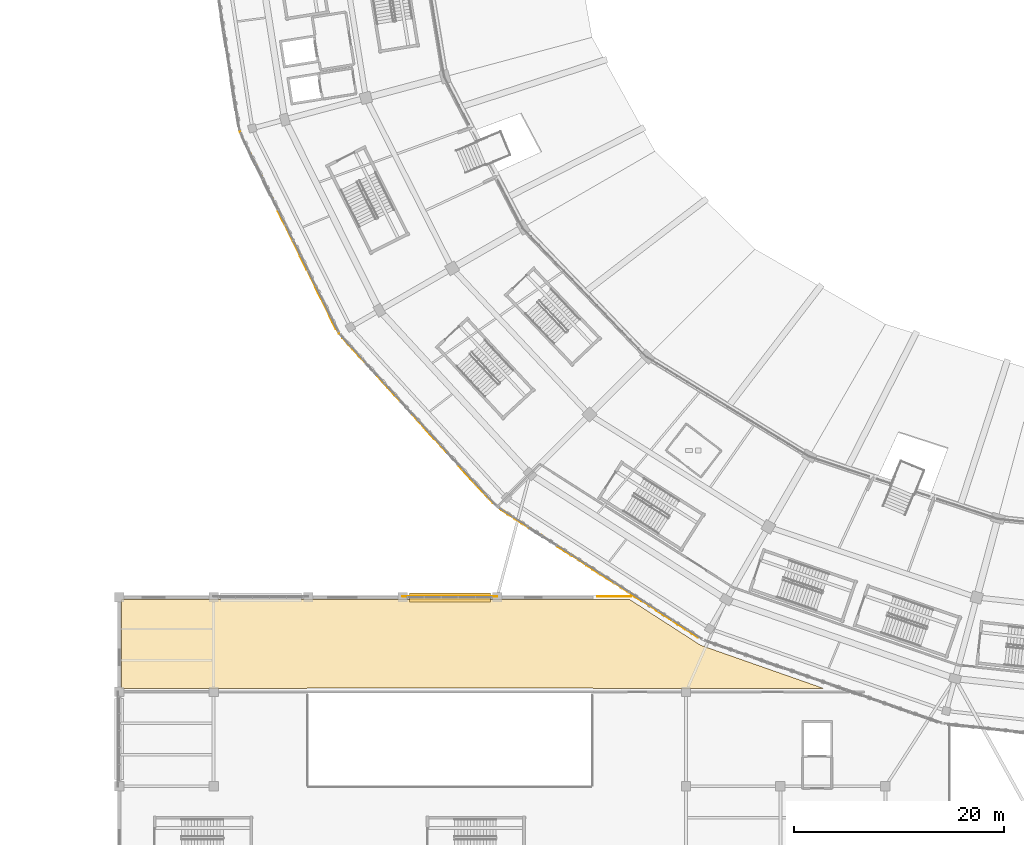
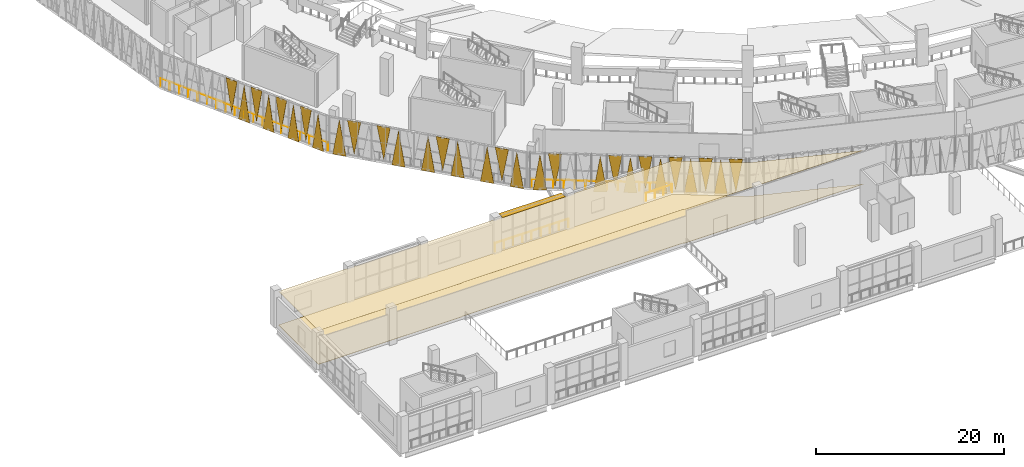
# One storey, part 128 of 183: 32 coverings, 4 railings, 1 shading device.
"""IFC4 building model written with IfcOpenShell, lengths in metres."""

from ifc_helpers import new_model, si_unit, direction, frame, origin, origin_2d, place, context, subcontext, project, spatial, polyline, rectangle, circle, outline, extrude, material, layer, layer_set, type_object, element, save


model = new_model("IFC4")

# Units and contexts
model_context = context("Model", 3, precision=1e-05, world=origin(), true_north=direction((0.0, 1.0)))
body_context = subcontext(model_context, "Body", "Model", "MODEL_VIEW")
ifc_project = project(units=[si_unit("LENGTHUNIT", "METRE"), si_unit("AREAUNIT", "SQUARE_METRE"), si_unit("VOLUMEUNIT", "CUBIC_METRE"), si_unit("PLANEANGLEUNIT", "RADIAN"), si_unit("MASSUNIT", "GRAM", prefix="KILO")], contexts=[model_context])

# Site, building, storey
site_placement = place(None, origin())
site = spatial("IfcSite", under=ifc_project, at=site_placement, CompositionType="ELEMENT")
building_placement = place(site_placement, origin())
building = spatial("IfcBuilding", under=site, at=building_placement, Name="Zevraka Park Crest Stadium", CompositionType="ELEMENT")
storey_placement = place(building_placement, frame((0.0, 0.0, 5.39990234375)))
storey = spatial("IfcBuildingStorey", under=building, at=storey_placement, Name="L01", CompositionType="ELEMENT", Elevation=5.39990234375)

# Coverings
ifc_material_1 = material(Name="Architectural golden-bronze perforated aluminium", Category="aluminium")
ifc_layer_1 = layer(ifc_material_1, 0.034912109375)
ifc_layer_set_1 = layer_set([ifc_layer_1], Name="Architectural golden-bronze perforated aluminium")
covering_type_1 = type_object("IfcCoveringType", Name="CLD01", PredefinedType="CLADDING", material=ifc_layer_set_1)
covering_1_placement = place(storey_placement, frame((24.781005859375, 62.50390625, 4.5), z_axis=(0.897396808055, 0.441224392703, 6.4629608e-05), x_axis=(-0.441224393624, 0.897396809929, 0.0)))
element("IfcCovering", 1, at=covering_1_placement, inside=storey, type_object=covering_type_1, Name="Triangular Golden-Bronze Perforated Cladding L01-13-6", PredefinedType="CLADDING", context=body_context, shape_type="SweptSolid", body=[
    extrude(outline(polyline([(0.0, 0.0), (1.4209393996793769, 0.0), (0.7099256217141656, -4.279785165188302), (0.0, 0.0)])), origin(), (0.0, 0.0, -1.0), 0.034912109375),
])
covering_2_placement = place(storey_placement, frame((24.85205078125, 62.360107421875, -0.260009765625), z_axis=(-0.897262886806, -0.441496664748, 8.3524968e-05), x_axis=(0.441496666288, -0.897262889936, 0.0)))
element("IfcCovering", 2, at=covering_2_placement, inside=storey, type_object=covering_type_1, Name="Triangular Golden-Bronze Perforated Cladding L01-13-7", PredefinedType="CLADDING", context=body_context, shape_type="SweptSolid", body=[
    extrude(outline(polyline([(0.0, 0.0), (1.4200631009776323, 0.0), (0.7103566541942712, 4.600097672296107), (0.0, 0.0)])), origin(), (0.0, 0.0, -1.0), 0.034912109375),
])
covering_3_placement = place(storey_placement, frame((26.177001953125, 59.6669921875, 4.5), z_axis=(-0.897363351947, -0.441292433512, 5.2033191e-05), x_axis=(-0.441292434109, 0.897363353162, 0.0)))
element("IfcCovering", 3, at=covering_3_placement, inside=storey, type_object=covering_type_1, Name="Triangular Golden-Bronze Perforated Cladding L01-13-8", PredefinedType="CLADDING", context=body_context, shape_type="SweptSolid", body=[
    extrude(outline(polyline([(0.0, 0.0), (1.420720312745091, -3.3881317890172014e-21), (0.7110137968936739, 4.279785162043659), (0.0, 0.0)])), origin(), (0.0, 0.0, -1.0), 0.034912109375),
])
covering_4_placement = place(storey_placement, frame((26.248046875, 59.52392578125, -0.260009765625), z_axis=(0.897363344103, 0.441292429655, 0.000142092747), x_axis=(0.441292434109, -0.897363353162, 0.0)))
element("IfcCovering", 4, at=covering_4_placement, inside=storey, type_object=covering_type_1, Name="Triangular Golden-Bronze Perforated Cladding L01-13-9", PredefinedType="CLADDING", context=body_context, shape_type="SweptSolid", body=[
    extrude(outline(polyline([(0.0, 0.0), (1.420720312745091, 1.3552527156068805e-20), (0.710582847250989, -4.600097702688788), (0.0, 0.0)])), origin(), (0.0, 0.0, -1.0), 0.034912109375),
])
covering_5_placement = place(storey_placement, frame((27.572998046875, 56.8310546875, 4.5), z_axis=(-0.897229366489, -0.441564778295, 0.000102365016), x_axis=(-0.441564780609, 0.89722937119, 0.0)))
element("IfcCovering", 5, at=covering_5_placement, inside=storey, type_object=covering_type_1, Name="Triangular Golden-Bronze Perforated Cladding L01-13-10", PredefinedType="CLADDING", context=body_context, shape_type="SweptSolid", body=[
    extrude(outline(polyline([(0.0, 0.0), (1.4198440467462223, -6.776263578034403e-21), (0.7101376311761427, 4.2797851786730705), (0.0, 0.0)])), origin(), (0.0, 0.0, -1.0), 0.034912109375),
])
covering_6_placement = place(storey_placement, frame((27.64404296875, 56.68701171875, -0.260009765625), z_axis=(0.89736335211, 0.441292433592, 4.8410033e-05), x_axis=(0.441292434109, -0.897363353162, 0.0)))
element("IfcCovering", 6, at=covering_6_placement, inside=storey, type_object=covering_type_1, Name="Triangular Golden-Bronze Perforated Cladding L01-13-11", PredefinedType="CLADDING", context=body_context, shape_type="SweptSolid", body=[
    extrude(outline(polyline([(0.0, 0.0), (1.420720312745091, 0.0), (0.709706515851417, -4.600097661640237), (0.0, 0.0)])), origin(), (0.0, 0.0, -1.0), 0.034912109375),
])
covering_7_placement = place(storey_placement, frame((28.968994140625, 53.993896484375, 4.5), z_axis=(-0.897396801117, -0.441224389291, 0.00014013863), x_axis=(-0.441224393624, 0.897396809929, 0.0)))
element("IfcCovering", 7, at=covering_7_placement, inside=storey, type_object=covering_type_1, Name="Triangular Golden-Bronze Perforated Cladding L01-13-12", PredefinedType="CLADDING", context=body_context, shape_type="SweptSolid", body=[
    extrude(outline(polyline([(0.0, 0.0), (1.4209393996793769, 1.3552527156068805e-20), (0.710356504911064, 4.2797851982749995), (0.0, 0.0)])), origin(), (0.0, 0.0, -1.0), 0.034912109375),
])
covering_8_placement = place(storey_placement, frame((29.0400390625, 53.85009765625, -0.260009765625), z_axis=(0.897262884804, 0.441496663763, 0.000106956486), x_axis=(0.441496666288, -0.897262889936, 0.0)))
element("IfcCovering", 8, at=covering_8_placement, inside=storey, type_object=covering_type_1, Name="Triangular Golden-Bronze Perforated Cladding L01-13-13", PredefinedType="CLADDING", context=body_context, shape_type="SweptSolid", body=[
    extrude(outline(polyline([(0.0, 0.0), (1.4200631009776323, 6.776263578034403e-21), (0.7099255051060995, -4.600097682561845), (0.0, 0.0)])), origin(), (0.0, 0.0, -1.0), 0.034912109375),
])
covering_9_placement = place(storey_placement, frame((30.258056640625, 51.7080078125, -0.260009765625), z_axis=(-0.739257935755, -0.673422381884, 0.0), x_axis=(0.673422381884, -0.739257935755, 0.0)))
element("IfcCovering", 9, at=covering_9_placement, inside=storey, type_object=covering_type_1, Name="Triangular Golden-Bronze Perforated Cladding L01-14-1", PredefinedType="CLADDING", context=body_context, shape_type="SweptSolid", body=[
    extrude(outline(polyline([(0.0, 0.0), (1.4907527237079923, 0.0), (0.7453763618539961, 4.60009765625), (0.0, 0.0)])), origin(), (0.0, 0.0, -1.0), 0.034912109375),
])
covering_10_placement = place(storey_placement, frame((32.375, 49.385986328125, 4.5), z_axis=(-0.738931869956, -0.673780145489, 8.4304834e-05), x_axis=(-0.673780147884, 0.738931872582, 0.0)))
element("IfcCovering", 10, at=covering_10_placement, inside=storey, type_object=covering_type_1, Name="Triangular Golden-Bronze Perforated Cladding L01-14-2", PredefinedType="CLADDING", context=body_context, shape_type="SweptSolid", body=[
    extrude(outline(polyline([(0.0, 0.0), (1.4914105374817646, 0.0), (0.7460342629537162, 4.27978517145887), (0.0, 0.0)])), origin(), (0.0, 0.0, -1.0), 0.034912109375),
])
covering_11_placement = place(storey_placement, frame((34.59912109375, 46.946044921875, 4.5), z_axis=(-0.739176409064, -0.67351186763, 2.1083183e-05), x_axis=(-0.67351186778, 0.739176409229, 0.0)))
element("IfcCovering", 11, at=covering_11_placement, inside=storey, type_object=covering_type_1, Name="Triangular Golden-Bronze Perforated Cladding L01-14-4", PredefinedType="CLADDING", context=body_context, shape_type="SweptSolid", body=[
    extrude(outline(polyline([(0.0, 0.0), (1.4909171443933684, 0.0), (0.7455407880008564, 4.279785157201184), (0.0, 0.0)])), origin(), (0.0, 0.0, -1.0), 0.034912109375),
])
covering_12_placement = place(storey_placement, frame((34.70703125, 46.827880859375, -0.260009765625), z_axis=(-0.739183652813, -0.673503917653, 1.7872411e-05), x_axis=(0.673503917761, -0.739183652931, 0.0)))
element("IfcCovering", 12, at=covering_12_placement, inside=storey, type_object=covering_type_1, Name="Triangular Golden-Bronze Perforated Cladding L01-14-5", PredefinedType="CLADDING", context=body_context, shape_type="SweptSolid", body=[
    extrude(outline(polyline([(0.0, 0.0), (1.4905722498806995, 0.0), (0.7451958925608415, 4.600097656984689), (0.0, 0.0)])), origin(), (0.0, 0.0, -1.0), 0.034912109375),
])
covering_13_placement = place(storey_placement, frame((36.930908203125, 44.386962890625, -0.260009765625), z_axis=(-0.738552850624, -0.674195584483, 2.6429835e-05), x_axis=(0.674195584719, -0.738552850882, 0.0)))
element("IfcCovering", 13, at=covering_13_placement, inside=storey, type_object=covering_type_1, Name="Triangular Golden-Bronze Perforated Cladding L01-14-7", PredefinedType="CLADDING", context=body_context, shape_type="SweptSolid", body=[
    extrude(outline(polyline([(0.0, 0.0), (1.490853657169029, -3.3881317890172014e-21), (0.7461989464222979, 4.600097657856668), (0.0, 0.0)])), origin(), (0.0, 0.0, -1.0), 0.034912109375),
])
covering_14_placement = place(storey_placement, frame((39.048095703125, 42.06494140625, 4.5), z_axis=(0.738850373217, 0.673869514075, 6.3221652e-05), x_axis=(-0.673869515422, 0.738850374694, 0.0)))
element("IfcCovering", 14, at=covering_14_placement, inside=storey, type_object=covering_type_1, Name="Triangular Golden-Bronze Perforated Cladding L01-14-8", PredefinedType="CLADDING", context=body_context, shape_type="SweptSolid", body=[
    extrude(outline(polyline([(0.0, 0.0), (1.4915750454979064, 0.0), (0.7455407443619579, -4.279785164803103), (0.0, 0.0)])), origin(), (0.0, 0.0, -1.0), 0.034912109375),
])
covering_15_placement = place(storey_placement, frame((39.156005859375, 41.947021484375, -0.260009765625), z_axis=(-0.739257935755, -0.673422381884, 0.0), x_axis=(0.673422381884, -0.739257935755, 0.0)))
element("IfcCovering", 15, at=covering_15_placement, inside=storey, type_object=covering_type_1, Name="Triangular Golden-Bronze Perforated Cladding L01-14-9", PredefinedType="CLADDING", context=body_context, shape_type="SweptSolid", body=[
    extrude(outline(polyline([(0.0, 0.0), (1.4907527237079923, 0.0), (0.7453763618539961, 4.60009765625), (0.0, 0.0)])), origin(), (0.0, 0.0, -1.0), 0.034912109375),
])
covering_16_placement = place(storey_placement, frame((41.3798828125, 39.507080078125, -0.260009765625), z_axis=(0.738850373416, 0.673869514256, 5.8819423e-05), x_axis=(0.673869515422, -0.738850374694, 0.0)))
element("IfcCovering", 16, at=covering_16_placement, inside=storey, type_object=covering_type_1, Name="Triangular Golden-Bronze Perforated Cladding L01-14-11", PredefinedType="CLADDING", context=body_context, shape_type="SweptSolid", body=[
    extrude(outline(polyline([(0.0, 0.0), (1.4915750454979064, 0.0), (0.7455407443619579, -4.600097664207535), (0.0, 0.0)])), origin(), (0.0, 0.0, -1.0), 0.034912109375),
])
covering_17_placement = place(storey_placement, frame((43.4970703125, 37.18505859375, 4.5), z_axis=(0.738850370592, 0.673869511681, 0.00010536942), x_axis=(-0.673869515422, 0.738850374694, 0.0)))
element("IfcCovering", 17, at=covering_17_placement, inside=storey, type_object=covering_type_1, Name="Triangular Golden-Bronze Perforated Cladding L01-14-12", PredefinedType="CLADDING", context=body_context, shape_type="SweptSolid", body=[
    extrude(outline(polyline([(0.0, 0.0), (1.4915750454979064, -1.3552527156068805e-20), (0.7453762254372943, -4.279785180008618), (0.0, 0.0)])), origin(), (0.0, 0.0, -1.0), 0.034912109375),
])
covering_18_placement = place(storey_placement, frame((43.60498046875, 37.06689453125, -0.260009765625), z_axis=(-0.739183652813, -0.673503917653, 1.7872411e-05), x_axis=(0.673503917761, -0.739183652931, 0.0)))
element("IfcCovering", 18, at=covering_18_placement, inside=storey, type_object=covering_type_1, Name="Triangular Golden-Bronze Perforated Cladding L01-14-13", PredefinedType="CLADDING", context=body_context, shape_type="SweptSolid", body=[
    extrude(outline(polyline([(0.0, 0.0), (1.4905722498806995, 0.0), (0.7451958925608415, 4.600097656984689), (0.0, 0.0)])), origin(), (0.0, 0.0, -1.0), 0.034912109375),
])
covering_19_placement = place(storey_placement, frame((45.410888671875, 35.284912109375, -0.260009765625), z_axis=(-0.542438504887, -0.840095510683, 3.668756e-05), x_axis=(0.840095511248, -0.542438505252, 0.0)))
element("IfcCovering", 19, at=covering_19_placement, inside=storey, type_object=covering_type_1, Name="Triangular Golden-Bronze Perforated Cladding L01-15-1", PredefinedType="CLADDING", context=body_context, shape_type="SweptSolid", body=[
    extrude(outline(polyline([(0.0, 0.0), (1.4452063031746218, 0.0), (0.7226394866710507, 4.6000976593458125), (0.0, 0.0)])), origin(), (0.0, 0.0, -1.0), 0.034912109375),
])
covering_20_placement = place(storey_placement, frame((47.97412109375, 33.6298828125, 4.5), z_axis=(-0.542557713856, -0.84001852771, 1.547512e-05), x_axis=(-0.840018527811, 0.542557713921, 0.0)))
element("IfcCovering", 20, at=covering_20_placement, inside=storey, type_object=covering_type_1, Name="Triangular Golden-Bronze Perforated Cladding L01-15-2", PredefinedType="CLADDING", context=body_context, shape_type="SweptSolid", body=[
    extrude(outline(polyline([(0.0, 0.0), (1.4453387490028242, 0.0), (0.7227719158256077, 4.27978515676246), (0.0, 0.0)])), origin(), (0.0, 0.0, -1.0), 0.034912109375),
])
covering_21_placement = place(storey_placement, frame((50.804931640625, 31.802001953125, -0.260009765625), z_axis=(0.542915140766, 0.839787556775, 9.7017903e-05), x_axis=(0.839787560727, -0.542915143322, 0.0)))
element("IfcCovering", 21, at=covering_21_placement, inside=storey, type_object=covering_type_1, Name="Triangular Golden-Bronze Perforated Cladding L01-15-5", PredefinedType="CLADDING", context=body_context, shape_type="SweptSolid", body=[
    extrude(outline(polyline([(0.0, 0.0), (1.4457362610535034, -1.3552527156068805e-20), (0.7233020127627544, -4.600097677899149), (0.0, 0.0)])), origin(), (0.0, 0.0, -1.0), 0.034912109375),
])
covering_22_placement = place(storey_placement, frame((53.366943359375, 30.14599609375, 4.5), z_axis=(-0.542992143758, -0.839737772554, 7.1854344e-05), x_axis=(-0.839737774722, 0.542992145159, 0.0)))
element("IfcCovering", 22, at=covering_22_placement, inside=storey, type_object=covering_type_1, Name="Triangular Golden-Bronze Perforated Cladding L01-15-6", PredefinedType="CLADDING", context=body_context, shape_type="SweptSolid", body=[
    extrude(outline(polyline([(0.0, 0.0), (1.4455312408705225, -6.776263578034403e-21), (0.7225667707727274, 4.279785167298367), (0.0, 0.0)])), origin(), (0.0, 0.0, -1.0), 0.034912109375),
])
covering_23_placement = place(storey_placement, frame((53.501953125, 30.06005859375, -0.260009765625), z_axis=(0.543034218025, 0.839710561642, 0.000103541993), x_axis=(0.839710566143, -0.543034220936, 0.0)))
element("IfcCovering", 23, at=covering_23_placement, inside=storey, type_object=covering_type_1, Name="Triangular Golden-Bronze Perforated Cladding L01-15-7", PredefinedType="CLADDING", context=body_context, shape_type="SweptSolid", body=[
    extrude(outline(polyline([(0.0, 0.0), (1.445868823232424, 1.3552527156068805e-20), (0.7230970613131847, -4.600097680908696), (0.0, 0.0)])), origin(), (0.0, 0.0, -1.0), 0.034912109375),
])
covering_24_placement = place(storey_placement, frame((56.06396484375, 28.404052734375, 4.5), z_axis=(0.542992141266, 0.839737768701, 0.00011975724), x_axis=(-0.839737774722, 0.542992145159, 0.0)))
element("IfcCovering", 24, at=covering_24_placement, inside=storey, type_object=covering_type_1, Name="Triangular Golden-Bronze Perforated Cladding L01-15-8", PredefinedType="CLADDING", context=body_context, shape_type="SweptSolid", body=[
    extrude(outline(polyline([(0.0, 0.0), (1.4455312408705225, 0.0), (0.7230970365394844, -4.279785186939905), (0.0, 0.0)])), origin(), (0.0, 0.0, -1.0), 0.034912109375),
])
covering_25_placement = place(storey_placement, frame((56.198974609375, 28.318115234375, -0.260009765625), z_axis=(-0.54303421942, -0.839710563799, 7.472158e-05), x_axis=(0.839710566143, -0.543034220936, 0.0)))
element("IfcCovering", 25, at=covering_25_placement, inside=storey, type_object=covering_type_1, Name="Triangular Golden-Bronze Perforated Cladding L01-15-9", PredefinedType="CLADDING", context=body_context, shape_type="SweptSolid", body=[
    extrude(outline(polyline([(0.0, 0.0), (1.445868823232424, -6.776263578034403e-21), (0.7225667544568017, 4.600097669091896), (0.0, 0.0)])), origin(), (0.0, 0.0, -1.0), 0.034912109375),
])
covering_26_placement = place(storey_placement, frame((58.760986328125, 26.662109375, 4.5), z_axis=(0.542992143758, 0.839737772554, 7.1854344e-05), x_axis=(-0.839737774722, 0.542992145159, 0.0)))
element("IfcCovering", 26, at=covering_26_placement, inside=storey, type_object=covering_type_1, Name="Triangular Golden-Bronze Perforated Cladding L01-15-10", PredefinedType="CLADDING", context=body_context, shape_type="SweptSolid", body=[
    extrude(outline(polyline([(0.0, 0.0), (1.4455312408705225, -6.776263578034403e-21), (0.7229644700977951, -4.279785167298367), (0.0, 0.0)])), origin(), (0.0, 0.0, -1.0), 0.034912109375),
])
covering_27_placement = place(storey_placement, frame((58.89501953125, 26.575927734375, -0.260009765625), z_axis=(-0.542607308254, -0.839986492435, 3.9456956e-05), x_axis=(0.839986493089, -0.542607308676, 0.0)))
element("IfcCovering", 27, at=covering_27_placement, inside=storey, type_object=covering_type_1, Name="Triangular Golden-Bronze Perforated Cladding L01-15-11", PredefinedType="CLADDING", context=body_context, shape_type="SweptSolid", body=[
    extrude(outline(polyline([(0.0, 0.0), (1.446556463255764, 6.776263578034403e-21), (0.7224343633406721, 4.600097659830834), (0.0, 0.0)])), origin(), (0.0, 0.0, -1.0), 0.034912109375),
])
covering_28_placement = place(storey_placement, frame((61.4580078125, 24.9208984375, 4.5), z_axis=(0.542557713856, 0.84001852771, 1.547512e-05), x_axis=(-0.840018527811, 0.542557713921, 0.0)))
element("IfcCovering", 28, at=covering_28_placement, inside=storey, type_object=covering_type_1, Name="Triangular Golden-Bronze Perforated Cladding L01-15-12", PredefinedType="CLADDING", context=body_context, shape_type="SweptSolid", body=[
    extrude(outline(polyline([(0.0, 0.0), (1.4453387490028242, 0.0), (0.7225668331772165, -4.27978515676246), (0.0, 0.0)])), origin(), (0.0, 0.0, -1.0), 0.034912109375),
])
covering_29_placement = place(storey_placement, frame((61.592041015625, 24.833984375, -0.260009765625), z_axis=(0.542515495799, 0.840045794181, 2.2291843e-05), x_axis=(0.840045794389, -0.542515495934, 0.0)))
element("IfcCovering", 29, at=covering_29_placement, inside=storey, type_object=covering_type_1, Name="Triangular Golden-Bronze Perforated Cladding L01-15-13", PredefinedType="CLADDING", context=body_context, shape_type="SweptSolid", body=[
    extrude(outline(polyline([(0.0, 0.0), (1.4450012077999679, 0.0), (0.7225668289361087, -4.600097657392954), (0.0, 0.0)])), origin(), (0.0, 0.0, -1.0), 0.034912109375),
])
covering_30_placement = place(storey_placement, frame((64.155029296875, 23.178955078125, 4.5), z_axis=(0.54243850483, 0.840095510595, 3.9433372e-05), x_axis=(-0.840095511248, 0.542438505252, 0.0)))
element("IfcCovering", 30, at=covering_30_placement, inside=storey, type_object=covering_type_1, Name="Triangular Golden-Bronze Perforated Cladding L01-15-14", PredefinedType="CLADDING", context=body_context, shape_type="SweptSolid", body=[
    extrude(outline(polyline([(0.0, 0.0), (1.4452063031746218, 0.0), (0.7225668165035711, -4.279785159577513), (0.0, 0.0)])), origin(), (0.0, 0.0, -1.0), 0.034912109375),
])
ifc_material_2 = material(Name="Perforated acoustic mineral-fibre suspended ceiling", Category="other")
ifc_layer_2 = layer(ifc_material_2, 0.02490234375)
ifc_layer_set_2 = layer_set([ifc_layer_2], Name="Perforated acoustic mineral-fibre suspended ceiling")
covering_type_2 = type_object("IfcCoveringType", Name="CLG01", PredefinedType="CEILING", material=ifc_layer_set_2)
covering_31_placement = place(storey_placement, frame((0.0, 0.0, 4.380126953125)))
element("IfcCovering", 31, at=covering_31_placement, inside=storey, type_object=covering_type_2, Name="Acoustic Ceiling Broadcast Technical Operations Compound L01-064", PredefinedType="CEILING", context=body_context, shape_type="SweptSolid", body=[
    extrude(outline(polyline([(26.81591796875, 18.31494140625), (9.22607421875, 18.304931640625), (9.2099609375, 26.77392578125), (57.6259765625, 26.794921875), (64.37109375, 22.448974609375), (64.39111328125, 22.43701171875), (64.4130859375, 22.427978515625), (76.1708984375, 18.300048828125), (54.215087890625, 18.300048828125), (54.0849609375, 18.361083984375), (54.06494140625, 18.368896484375), (54.0439453125, 18.375), (54.02197265625, 18.37890625), (54.0, 18.3798828125), (27.0, 18.3798828125), (26.97802734375, 18.37890625), (26.95703125, 18.375), (26.93603515625, 18.368896484375), (26.9150390625, 18.361083984375), (26.81591796875, 18.31494140625)])), origin(), (0.0, 0.0, 1.0), 0.02490234375),
])
ifc_material_3 = material(Name="Honed terrazzo and slip-resistant sports flooring", Category="other")
ifc_layer_3 = layer(ifc_material_3, 0.0400390625)
ifc_layer_set_3 = layer_set([ifc_layer_3], Name="Honed terrazzo and slip-resistant sports flooring")
covering_type_3 = type_object("IfcCoveringType", Name="FLR01", PredefinedType="FLOORING", material=ifc_layer_set_3)
covering_32_placement = place(storey_placement, origin())
element("IfcCovering", 32, at=covering_32_placement, inside=storey, type_object=covering_type_3, Name="Terrazzo Floor Finish Broadcast Technical Operations Compound L01-064", PredefinedType="FLOORING", context=body_context, shape_type="SweptSolid", body=[
    extrude(outline(polyline([(26.81591796875, 18.31494140625), (9.22607421875, 18.304931640625), (9.2099609375, 26.77392578125), (57.6259765625, 26.794921875), (64.37109375, 22.448974609375), (64.39111328125, 22.43701171875), (64.4130859375, 22.427978515625), (76.1708984375, 18.300048828125), (54.215087890625, 18.300048828125), (54.0849609375, 18.361083984375), (54.06494140625, 18.368896484375), (54.0439453125, 18.375), (54.02197265625, 18.37890625), (54.0, 18.3798828125), (27.0, 18.3798828125), (26.97802734375, 18.37890625), (26.95703125, 18.375), (26.93603515625, 18.368896484375), (26.9150390625, 18.361083984375), (26.81591796875, 18.31494140625)])), origin(), (0.0, 0.0, 1.0), 0.0400390625),
])

# Railings
ifc_material_4 = material(Name="Galvanised and bronze-finished steel balustrade", Category="steel")
railing_type = type_object("IfcRailingType", Name="GR01", PredefinedType="GUARDRAIL", material=ifc_material_4)
railing_1_placement = place(storey_placement, frame((35.990966796875, 27.10498046875, 0.0)))
element("IfcRailing", 33, at=railing_1_placement, inside=storey, type_object=railing_type, Name="Deck Edge Protection Guardrail GR01 L01-43", PredefinedType="GUARDRAIL", context=body_context, shape_type="SweptSolid", body=[
    extrude(circle(Radius=0.02392578125, at=origin_2d()), frame((0.0, 0.0, 1.076171875), z_axis=(1.0, 0.0, 0.0), x_axis=(0.0, 1.0, 0.0)), (0.0, 0.0, 1.0), 9.01806640625),
    extrude(circle(Radius=0.02099609375, at=origin_2d()), origin(), (0.0, 0.0, 1.0), 1.052001953125),
    extrude(circle(Radius=0.02099609375, at=origin_2d()), frame((1.127197265625, 0.0, 0.0)), (0.0, 0.0, 1.0), 1.052001953125),
    extrude(circle(Radius=0.02099609375, at=origin_2d()), frame((2.25439453125, 0.0, 0.0)), (0.0, 0.0, 1.0), 1.052001953125),
    extrude(circle(Radius=0.02099609375, at=origin_2d()), frame((3.3818359375, 0.0, 0.0)), (0.0, 0.0, 1.0), 1.052001953125),
    extrude(circle(Radius=0.02099609375, at=origin_2d()), frame((4.509033203125, 0.0, 0.0)), (0.0, 0.0, 1.0), 1.052001953125),
    extrude(circle(Radius=0.02099609375, at=origin_2d()), frame((5.63623046875, 0.0, 0.0)), (0.0, 0.0, 1.0), 1.052001953125),
    extrude(circle(Radius=0.02099609375, at=origin_2d()), frame((6.763671875, 0.0, 0.0)), (0.0, 0.0, 1.0), 1.052001953125),
    extrude(circle(Radius=0.02099609375, at=origin_2d()), frame((7.890869140625, 0.0, 0.0)), (0.0, 0.0, 1.0), 1.052001953125),
    extrude(circle(Radius=0.02099609375, at=origin_2d()), frame((9.01806640625, 0.0, 0.0)), (0.0, 0.0, 1.0), 1.052001953125),
])
railing_2_placement = place(storey_placement, frame((54.56591796875, 27.10498046875, 0.0)))
element("IfcRailing", 34, at=railing_2_placement, inside=storey, type_object=railing_type, Name="Deck Edge Protection Guardrail GR01 L01-44", PredefinedType="GUARDRAIL", context=body_context, shape_type="SweptSolid", body=[
    extrude(circle(Radius=0.02392578125, at=origin_2d()), frame((0.0, 0.0, 1.076171875), z_axis=(1.0, 0.0, 0.0), x_axis=(0.0, 1.0, 0.0)), (0.0, 0.0, 1.0), 3.2021484375),
    extrude(circle(Radius=0.02099609375, at=origin_2d()), origin(), (0.0, 0.0, 1.0), 1.052001953125),
    extrude(circle(Radius=0.02099609375, at=origin_2d()), frame((1.0673828125, 0.0, 0.0)), (0.0, 0.0, 1.0), 1.052001953125),
    extrude(circle(Radius=0.02099609375, at=origin_2d()), frame((2.134765625, 0.0, 0.0)), (0.0, 0.0, 1.0), 1.052001953125),
    extrude(circle(Radius=0.02099609375, at=origin_2d()), frame((3.2021484375, 0.0, 0.0)), (0.0, 0.0, 1.0), 1.052001953125),
])
railing_3_placement = place(storey_placement, frame((57.8349609375, 27.343994140625, 0.0)))
element("IfcRailing", 35, at=railing_3_placement, inside=storey, type_object=railing_type, Name="Deck Edge Protection Guardrail GR01 L01-45", PredefinedType="GUARDRAIL", context=body_context, shape_type="SweptSolid", body=[
    extrude(circle(Radius=0.02392578125, at=origin_2d()), frame((0.0, 0.0, 1.076171875), z_axis=(-0.840027866748, 0.542543254578, 0.0), x_axis=(-0.542543254578, -0.840027866748, 0.0)), (0.0, 0.0, 1.0), 14.90185546875),
    extrude(circle(Radius=0.02099609375, at=origin_2d()), origin(), (0.0, 0.0, 1.0), 1.052001953125),
    extrude(circle(Radius=0.02099609375, at=origin_2d()), frame((-0.962890625, 0.621826171875, 0.0)), (0.0, 0.0, 1.0), 1.052001953125),
    extrude(circle(Radius=0.02099609375, at=origin_2d()), frame((-1.92578125, 1.243896484375, 0.0)), (0.0, 0.0, 1.0), 1.052001953125),
    extrude(circle(Radius=0.02099609375, at=origin_2d()), frame((-2.888671875, 1.86572265625, 0.0)), (0.0, 0.0, 1.0), 1.052001953125),
    extrude(circle(Radius=0.02099609375, at=origin_2d()), frame((-3.851806640625, 2.48779296875, 0.0)), (0.0, 0.0, 1.0), 1.052001953125),
    extrude(circle(Radius=0.02099609375, at=origin_2d()), frame((-4.814697265625, 3.109619140625, 0.0)), (0.0, 0.0, 1.0), 1.052001953125),
    extrude(circle(Radius=0.02099609375, at=origin_2d()), frame((-5.777587890625, 3.7314453125, 0.0)), (0.0, 0.0, 1.0), 1.052001953125),
    extrude(circle(Radius=0.02099609375, at=origin_2d()), frame((-6.740478515625, 4.353515625, 0.0)), (0.0, 0.0, 1.0), 1.052001953125),
    extrude(circle(Radius=0.02099609375, at=origin_2d()), frame((-7.703369140625, 4.975341796875, 0.0)), (0.0, 0.0, 1.0), 1.052001953125),
    extrude(circle(Radius=0.02099609375, at=origin_2d()), frame((-8.666259765625, 5.59716796875, 0.0)), (0.0, 0.0, 1.0), 1.052001953125),
    extrude(circle(Radius=0.02099609375, at=origin_2d()), frame((-9.62939453125, 6.21923828125, 0.0)), (0.0, 0.0, 1.0), 1.052001953125),
    extrude(circle(Radius=0.02099609375, at=origin_2d()), frame((-10.59228515625, 6.841064453125, 0.0)), (0.0, 0.0, 1.0), 1.052001953125),
    extrude(circle(Radius=0.02099609375, at=origin_2d()), frame((-11.55517578125, 7.463134765625, 0.0)), (0.0, 0.0, 1.0), 1.052001953125),
    extrude(circle(Radius=0.02099609375, at=origin_2d()), frame((-12.51806640625, 8.0849609375, 0.0)), (0.0, 0.0, 1.0), 1.052001953125),
])
railing_4_placement = place(storey_placement, frame((29.958984375, 52.139892578125, 0.0)))
element("IfcRailing", 36, at=railing_4_placement, inside=storey, type_object=railing_type, Name="Deck Edge Protection Guardrail GR01 L01-47", PredefinedType="GUARDRAIL", context=body_context, shape_type="SweptSolid", body=[
    extrude(circle(Radius=0.02392578125, at=origin_2d()), frame((0.0, 0.0, 1.076171875), z_axis=(-0.441507942404, 0.897257341455, 0.0), x_axis=(-0.897257341455, -0.441507942404, 0.0)), (0.0, 0.0, 1.0), 21.4287109375),
    extrude(circle(Radius=0.02099609375, at=origin_2d()), origin(), (0.0, 0.0, 1.0), 1.052001953125),
    extrude(circle(Radius=0.02099609375, at=origin_2d()), frame((-0.525634765625, 1.068115234375, 0.0)), (0.0, 0.0, 1.0), 1.052001953125),
    extrude(circle(Radius=0.02099609375, at=origin_2d()), frame((-1.05126953125, 2.13623046875, 0.0)), (0.0, 0.0, 1.0), 1.052001953125),
    extrude(circle(Radius=0.02099609375, at=origin_2d()), frame((-1.576904296875, 3.20458984375, 0.0)), (0.0, 0.0, 1.0), 1.052001953125),
    extrude(circle(Radius=0.02099609375, at=origin_2d()), frame((-2.1025390625, 4.272705078125, 0.0)), (0.0, 0.0, 1.0), 1.052001953125),
    extrude(circle(Radius=0.02099609375, at=origin_2d()), frame((-2.6279296875, 5.3408203125, 0.0)), (0.0, 0.0, 1.0), 1.052001953125),
    extrude(circle(Radius=0.02099609375, at=origin_2d()), frame((-3.153564453125, 6.408935546875, 0.0)), (0.0, 0.0, 1.0), 1.052001953125),
    extrude(circle(Radius=0.02099609375, at=origin_2d()), frame((-3.67919921875, 7.477294921875, 0.0)), (0.0, 0.0, 1.0), 1.052001953125),
    extrude(circle(Radius=0.02099609375, at=origin_2d()), frame((-4.204833984375, 8.54541015625, 0.0)), (0.0, 0.0, 1.0), 1.052001953125),
    extrude(circle(Radius=0.02099609375, at=origin_2d()), frame((-4.73046875, 9.613525390625, 0.0)), (0.0, 0.0, 1.0), 1.052001953125),
    extrude(circle(Radius=0.02099609375, at=origin_2d()), frame((-5.256103515625, 10.681640625, 0.0)), (0.0, 0.0, 1.0), 1.052001953125),
    extrude(circle(Radius=0.02099609375, at=origin_2d()), frame((-5.78173828125, 11.749755859375, 0.0)), (0.0, 0.0, 1.0), 1.052001953125),
    extrude(circle(Radius=0.02099609375, at=origin_2d()), frame((-6.307373046875, 12.818115234375, 0.0)), (0.0, 0.0, 1.0), 1.052001953125),
    extrude(circle(Radius=0.02099609375, at=origin_2d()), frame((-6.8330078125, 13.88623046875, 0.0)), (0.0, 0.0, 1.0), 1.052001953125),
    extrude(circle(Radius=0.02099609375, at=origin_2d()), frame((-7.3583984375, 14.954345703125, 0.0)), (0.0, 0.0, 1.0), 1.052001953125),
    extrude(circle(Radius=0.02099609375, at=origin_2d()), frame((-7.884033203125, 16.0224609375, 0.0)), (0.0, 0.0, 1.0), 1.052001953125),
    extrude(circle(Radius=0.02099609375, at=origin_2d()), frame((-8.40966796875, 17.0908203125, 0.0)), (0.0, 0.0, 1.0), 1.052001953125),
    extrude(circle(Radius=0.02099609375, at=origin_2d()), frame((-8.935302734375, 18.158935546875, 0.0)), (0.0, 0.0, 1.0), 1.052001953125),
    extrude(circle(Radius=0.02099609375, at=origin_2d()), frame((-9.4609375, 19.22705078125, 0.0)), (0.0, 0.0, 1.0), 1.052001953125),
])

# Shading device
ifc_material_5 = material(Name="Architectural golden-bronze anodised bronze", Category="aluminium")
ifc_layer_4 = layer(ifc_material_5, 0.06005859375)
ifc_layer_set_4 = layer_set([ifc_layer_4], Name="Architectural golden-bronze anodised bronze")
shading_device_type = type_object("IfcShadingDeviceType", Name="SHD01", PredefinedType="USERDEFINED", material=ifc_layer_set_4)
shading_device_placement = place(storey_placement, frame((40.5, 27.0, 4.440185546875), z_axis=(0.0, 0.0, 1.0), x_axis=(1.0, 0.0, 0.0)))
element("IfcShadingDevice", 37, at=shading_device_placement, inside=storey, type_object=shading_device_type, Name="Wing Bronze Solar Screen SHD01 L01-SW-N-4", ObjectType="SOLAR SCREEN", PredefinedType="USERDEFINED", context=body_context, shape_type="SweptSolid", body=[
    extrude(rectangle(XDim=7.719970703125, YDim=0.85009765625, at=origin_2d()), origin(), (0.0, 0.0, 1.0), 0.06005859375),
])

save(model, "model.ifc")
